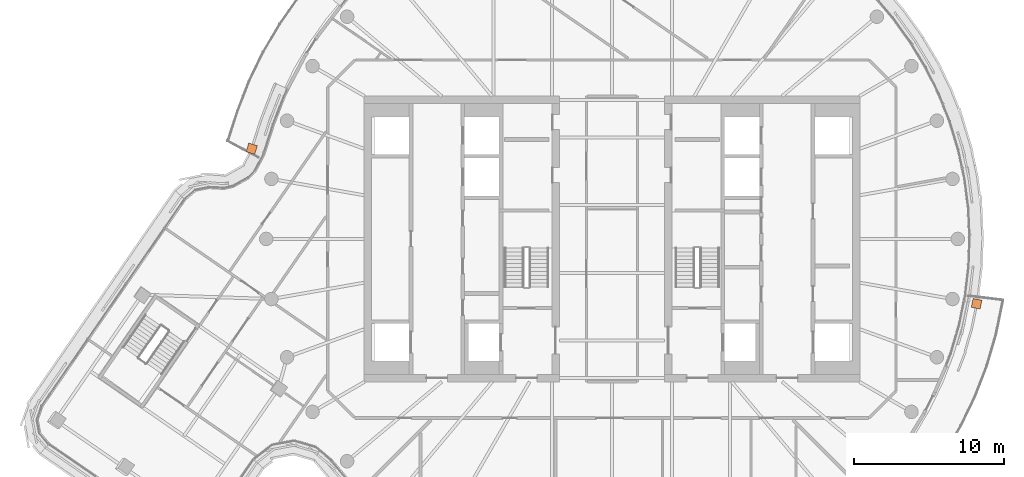
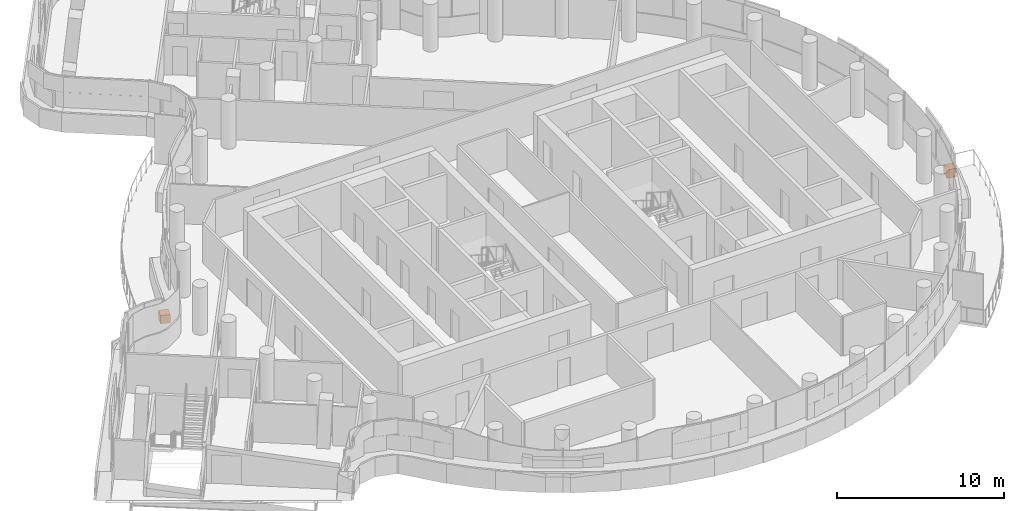
# One storey, part 26 of 26: 2 proxies.
"""IFC4 building model written with IfcOpenShell, lengths in metres."""

from ifc_helpers import new_model, si_unit, direction, frame, origin, origin_2d, place, context, subcontext, project, spatial, rectangle, extrude, material, type_object, element, save


model = new_model("IFC4")

# Units and contexts
model_context = context("Model", 3, precision=1e-05, world=origin(), true_north=direction((0.0, 1.0)))
body_context = subcontext(model_context, "Body", "Model", "MODEL_VIEW")
ifc_project = project(units=[si_unit("LENGTHUNIT", "METRE"), si_unit("AREAUNIT", "SQUARE_METRE"), si_unit("VOLUMEUNIT", "CUBIC_METRE"), si_unit("PLANEANGLEUNIT", "RADIAN"), si_unit("MASSUNIT", "GRAM", prefix="KILO")], contexts=[model_context])

# Site, building, storey
site_placement = place(None, origin())
site = spatial("IfcSite", under=ifc_project, at=site_placement, CompositionType="ELEMENT")
building_placement = place(site_placement, origin())
building = spatial("IfcBuilding", under=site, at=building_placement, Name="Tamarind Cross Interchange Tower", CompositionType="ELEMENT")
storey_placement = place(building_placement, frame((0.0, 0.0, 234.300048828125)))
storey = spatial("IfcBuildingStorey", under=building, at=storey_placement, Name="L59", CompositionType="ELEMENT", Elevation=234.300048828125)

# Proxies
ifc_material = material(Name="Concrete C30", Category="concrete")
building_element_proxy_type = type_object("IfcBuildingElementProxyType", Name="Planter", PredefinedType="USERDEFINED", material=ifc_material)
proxy_1_placement = place(storey_placement, origin())
element("IfcBuildingElementProxy", 1, at=proxy_1_placement, inside=storey, type_object=building_element_proxy_type, Name="PLT-L59-BAL02", ObjectType="Planter", PredefinedType="USERDEFINED", context=body_context, shape_type="SweptSolid", body=[
    extrude(rectangle(XDim=0.60009765625, YDim=0.60009765625, at=origin_2d()), frame((24.25439453125, -4.308349609375, 0.0), z_axis=(0.0, 0.0, 1.0), x_axis=(0.201001463943, 0.9795909409, 0.0)), (0.0, 0.0, 1.0), 0.60009765625),
])
proxy_2_placement = place(storey_placement, origin())
element("IfcBuildingElementProxy", 2, at=proxy_2_placement, inside=storey, type_object=building_element_proxy_type, Name="PLT-L59-BAL06", ObjectType="Planter", PredefinedType="USERDEFINED", context=body_context, shape_type="SweptSolid", body=[
    extrude(rectangle(XDim=0.60009765625, YDim=0.60009765625, at=origin_2d()), frame((-23.963134765625, 6.0048828125, 0.0), z_axis=(0.0, 0.0, 1.0), x_axis=(-0.305955207964, -0.952045907885, 0.0)), (0.0, 0.0, 1.0), 0.60009765625),
])

save(model, "model.ifc")
